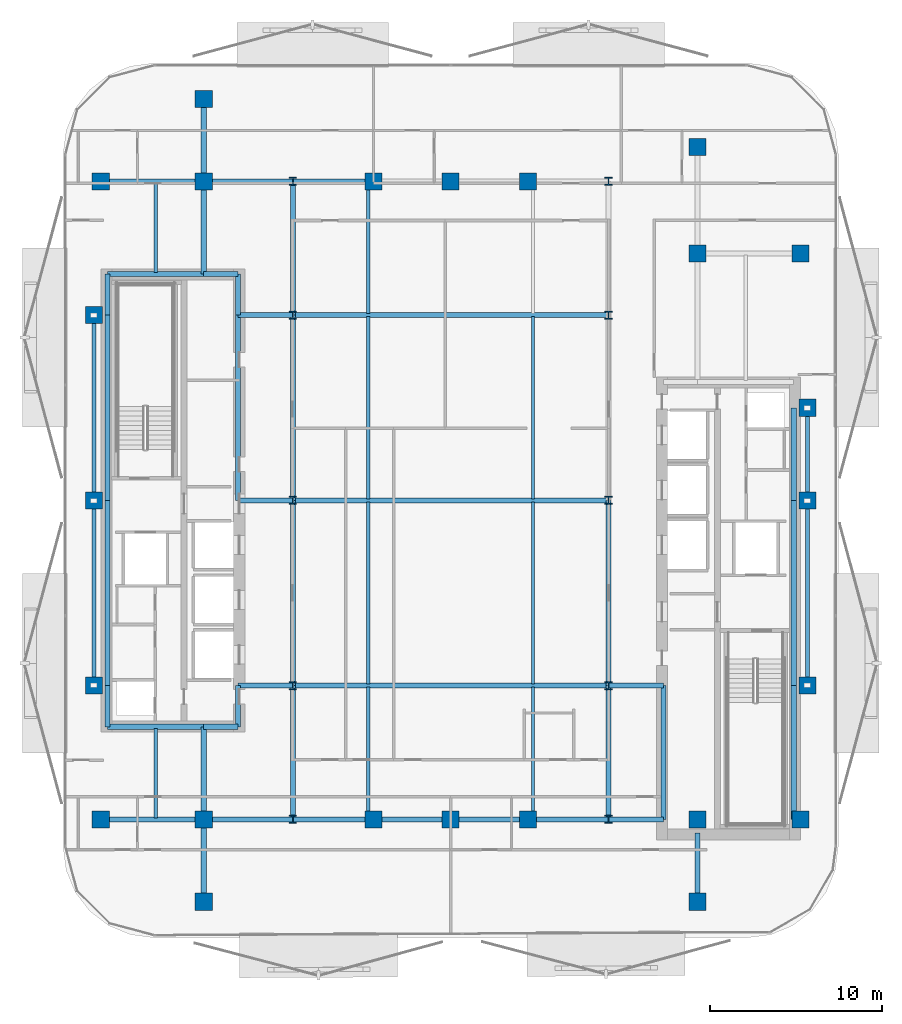
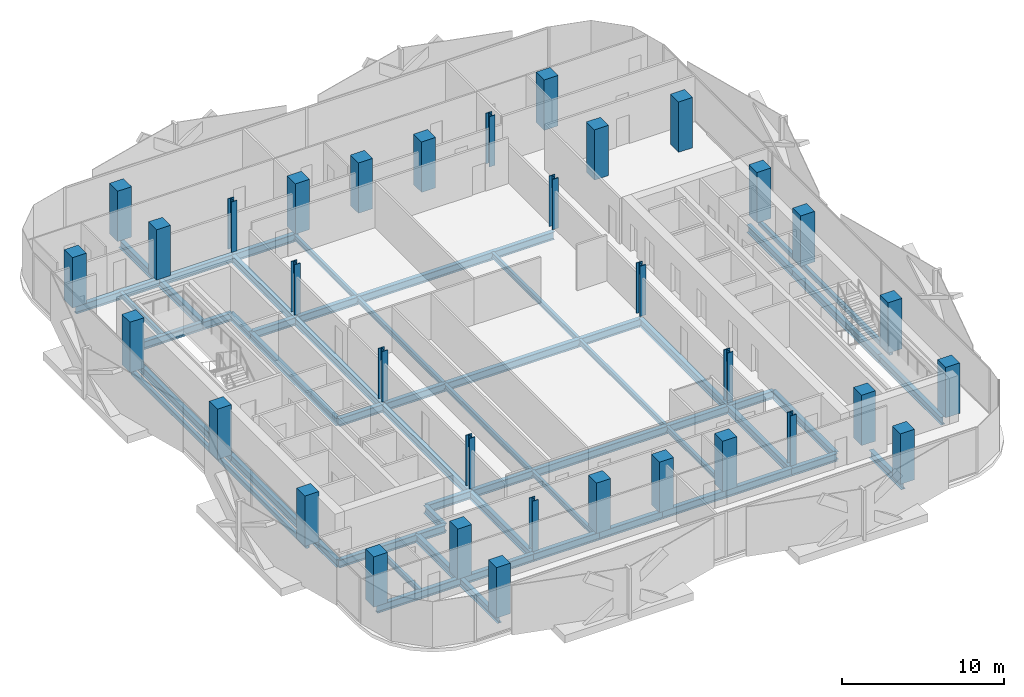
# One storey, part 1 of 17: 56 beams, 34 columns.
"""IFC4 building model written with IfcOpenShell, lengths in metres."""

from ifc_helpers import new_model, si_unit, direction, frame, origin, origin_2d, place, context, subcontext, project, spatial, rectangle, hollow_rectangle, i_section, extrude, material, material_profile, profile_set, type_object, element, save


model = new_model("IFC4")

# Units and contexts
model_context = context("Model", 3, precision=1e-05, world=origin(), true_north=direction((0.0, 1.0)))
body_context = subcontext(model_context, "Body", "Model", "MODEL_VIEW")
ifc_project = project(units=[si_unit("LENGTHUNIT", "METRE"), si_unit("AREAUNIT", "SQUARE_METRE"), si_unit("VOLUMEUNIT", "CUBIC_METRE"), si_unit("PLANEANGLEUNIT", "RADIAN"), si_unit("MASSUNIT", "GRAM", prefix="KILO")], contexts=[model_context])

# Site, building, storey
site_placement = place(None, origin())
site = spatial("IfcSite", under=ifc_project, at=site_placement, CompositionType="ELEMENT")
building_placement = place(site_placement, origin())
building = spatial("IfcBuilding", under=site, at=building_placement, Name="Khairoan Windgate Tower", CompositionType="ELEMENT")
storey_placement = place(building_placement, frame((0.0, 0.0, 210.60009765625)))
storey = spatial("IfcBuildingStorey", under=building, at=storey_placement, Name="L49", CompositionType="ELEMENT", Elevation=210.60009765625)

# Columns
ifc_material_1 = material(Name="Concrete C50/60", Category="concrete")
ifc_material_profile_1 = material_profile(ifc_material_1, rectangle(XDim=1.0, YDim=1.0, at=origin_2d()))
ifc_profile_set_1 = profile_set([ifc_material_profile_1], Name="Concrete C50/60")
column_type_1 = type_object("IfcColumnType", Name="Column C-T4 RC1000x1000", PredefinedType="COLUMN", material=ifc_profile_set_1)
for number, where, z_axis, x_axis, name in (
    (1, (-20.39990234375, -18.60009765625, 0.0), (0.0, 0.0, 1.0), (1.0, 0.0, 0.0), "Column L49-11"),
    (2, (-20.39990234375, 18.60009765625, 0.0), (0.0, 0.0, 1.0), (1.0, 0.0, 0.0), "Column L49-12"),
    (3, (20.39990234375, -18.60009765625, 0.0), (0.0, 0.0, 1.0), (1.0, 0.0, 0.0), "Column L49-13"),
    (4, (20.39990234375, 14.39990234375, 0.0), (0.0, 0.0, 1.0), (1.0, 0.0, 0.0), "Column L49-14"),
    (5, (-14.39990234375, -18.60009765625, 0.0), (0.0, 0.0, 1.0), (1.0, 0.0, 0.0), "Column L49-15"),
    (6, (-14.39990234375, 18.60009765625, 0.0), (0.0, 0.0, 1.0), (1.0, 0.0, 0.0), "Column L49-16"),
    (7, (14.39990234375, -18.60009765625, 0.0), (0.0, 0.0, 1.0), (1.0, 0.0, 0.0), "Column L49-17"),
    (8, (14.39990234375, 14.39990234375, 0.0), (0.0, 0.0, 1.0), (1.0, 0.0, 0.0), "Column L49-18"),
    (9, (-4.5, -18.60009765625, 0.0), (0.0, 0.0, 1.0), (1.0, 0.0, 0.0), "Column L49-19"),
    (10, (0.0, -18.60009765625, 0.0), (0.0, 0.0, 1.0), (1.0, 0.0, 0.0), "Column L49-20"),
    (11, (4.5, -18.60009765625, 0.0), (0.0, 0.0, 1.0), (1.0, 0.0, 0.0), "Column L49-21"),
    (12, (-4.5, 18.60009765625, 0.0), (0.0, 0.0, 1.0), (1.0, 0.0, 0.0), "Column L49-22"),
    (13, (0.0, 18.60009765625, 0.0), (0.0, 0.0, 1.0), (1.0, 0.0, 0.0), "Column L49-23"),
    (14, (4.5, 18.60009765625, 0.0), (0.0, 0.0, 1.0), (1.0, 0.0, 0.0), "Column L49-24"),
    (15, (-20.800048828125, -10.800048828125, 0.0), (0.0, 0.0, 1.0), (1.0, 0.0, 0.0), "Column L49-25"),
    (16, (-20.800048828125, 0.0, 0.0), (0.0, 0.0, 1.0), (1.0, 0.0, 0.0), "Column L49-26"),
    (17, (-20.800048828125, 10.800048828125, 0.0), (0.0, 0.0, 1.0), (1.0, 0.0, 0.0), "Column L49-27"),
    (18, (20.800048828125, -10.800048828125, 0.0), (0.0, 0.0, 1.0), (1.0, 0.0, 0.0), "Column L49-28"),
    (19, (20.800048828125, 0.0, 0.0), (0.0, 0.0, 1.0), (1.0, 0.0, 0.0), "Column L49-29"),
    (20, (20.800048828125, 5.39990234375, 0.0), (0.0, 0.0, 1.0), (1.0, 0.0, 0.0), "Column L49-30"),
    (21, (-14.39990234375, -23.39990234375, 0.0), (0.0, 0.0, 1.0), (1.0, 0.0, 0.0), "Column L49-31"),
    (22, (-14.39990234375, 23.39990234375, 0.0), (0.0, 0.0, 1.0), (1.0, 0.0, 0.0), "Column L49-32"),
    (23, (14.39990234375, -23.39990234375, 0.0), (0.0, 0.0, 1.0), (1.0, 0.0, 0.0), "Column L49-33"),
    (24, (14.39990234375, 20.60009765625, 0.0), (0.0, 0.0, 1.0), (1.0, 0.0, 0.0), "Column L49-34"),
):
    element("IfcColumn", number, at=place(storey_placement, frame(where, z_axis=z_axis, x_axis=x_axis)), inside=storey, type_object=column_type_1, Name=name, PredefinedType="COLUMN", context=body_context, shape_type="SweptSolid", body=[
        extrude(rectangle(XDim=1.0, YDim=1.0, at=origin_2d()), origin(), (0.0, 0.0, 1.0), 3.7998046875),
    ])
ifc_material_2 = material(Name="Steel S355", Category="steel")
ifc_material_profile_2 = material_profile(ifc_material_2, i_section(OverallWidth=0.4169921875, OverallDepth=0.4580078125, WebThickness=0.030029296875, FlangeThickness=0.050048828125, FilletRadius=0.02197265625, at=origin_2d()))
ifc_profile_set_2 = profile_set([ifc_material_profile_2], Name="Steel S355")
column_type_2 = type_object("IfcColumnType", Name="Steel Column SC2 H458x417x30x50", PredefinedType="COLUMN", material=ifc_profile_set_2)
for number, where, z_axis, x_axis, name in (
    (25, (-9.199951171875, -18.60009765625, 0.0), (0.0, 0.0, 1.0), (1.0, 0.0, 0.0), "Column L49-01"),
    (26, (-9.199951171875, -10.800048828125, 0.0), (0.0, 0.0, 1.0), (1.0, 0.0, 0.0), "Column L49-02"),
    (27, (-9.199951171875, 0.0, 0.0), (0.0, 0.0, 1.0), (1.0, 0.0, 0.0), "Column L49-03"),
    (28, (-9.199951171875, 10.800048828125, 0.0), (0.0, 0.0, 1.0), (1.0, 0.0, 0.0), "Column L49-04"),
    (29, (-9.199951171875, 18.60009765625, 0.0), (0.0, 0.0, 1.0), (1.0, 0.0, 0.0), "Column L49-05"),
    (30, (9.199951171875, -18.60009765625, 0.0), (0.0, 0.0, 1.0), (1.0, 0.0, 0.0), "Column L49-06"),
    (31, (9.199951171875, -10.800048828125, 0.0), (0.0, 0.0, 1.0), (1.0, 0.0, 0.0), "Column L49-07"),
    (32, (9.199951171875, 0.0, 0.0), (0.0, 0.0, 1.0), (1.0, 0.0, 0.0), "Column L49-08"),
    (33, (9.199951171875, 10.800048828125, 0.0), (0.0, 0.0, 1.0), (1.0, 0.0, 0.0), "Column L49-09"),
    (34, (9.199951171875, 18.60009765625, 0.0), (0.0, 0.0, 1.0), (1.0, 0.0, 0.0), "Column L49-10"),
):
    element("IfcColumn", number, at=place(storey_placement, frame(where, z_axis=z_axis, x_axis=x_axis)), inside=storey, type_object=column_type_2, Name=name, PredefinedType="COLUMN", context=body_context, shape_type="SweptSolid", body=[
        extrude(i_section(OverallWidth=0.4169921875, OverallDepth=0.4580078125, WebThickness=0.030029296875, FlangeThickness=0.050048828125, FilletRadius=0.02197265625, at=origin_2d()), origin(), (0.0, 0.0, 1.0), 3.7998046875),
    ])

# Beams
ifc_material_3 = material(Name="Steel S355", Category="steel")
ifc_material_profile_3 = material_profile(ifc_material_3, i_section(OverallWidth=0.300048828125, OverallDepth=0.587890625, WebThickness=0.011962890625, FlangeThickness=0.02001953125, FilletRadius=0.02392578125, at=origin_2d()))
ifc_profile_set_3 = profile_set([ifc_material_profile_3], Name="Steel S355")
beam_type_1 = type_object("IfcBeamType", Name="Beam B-G4 H588x300x12x20", PredefinedType="BEAM", material=ifc_profile_set_3)
beam_1_placement = place(storey_placement, frame((-20.39990234375, -18.60009765625, -0.55419921875), z_axis=(1.0, 0.0, 0.0), x_axis=(0.0, 1.0, 0.0)))
element("IfcBeam", 35, at=beam_1_placement, inside=storey, type_object=beam_type_1, Name="L49 E-W Primary Girder 01", PredefinedType="BEAM", context=body_context, shape_type="SweptSolid", body=[
    extrude(i_section(OverallWidth=0.300048828125, OverallDepth=0.587890625, WebThickness=0.011962890625, FlangeThickness=0.02001953125, FilletRadius=0.02392578125, at=origin_2d()), origin(), (0.0, 0.0, 1.0), 6.0),
])
beam_2_placement = place(storey_placement, frame((-14.39990234375, -18.60009765625, -0.55419921875), z_axis=(1.0, 0.0, 0.0), x_axis=(0.0, 1.0, 0.0)))
element("IfcBeam", 36, at=beam_2_placement, inside=storey, type_object=beam_type_1, Name="L49 E-W Primary Girder 02", PredefinedType="BEAM", context=body_context, shape_type="SweptSolid", body=[
    extrude(i_section(OverallWidth=0.300048828125, OverallDepth=0.587890625, WebThickness=0.011962890625, FlangeThickness=0.02001953125, FilletRadius=0.02392578125, at=origin_2d()), origin(), (0.0, 0.0, 1.0), 5.199951171875),
])
beam_3_placement = place(storey_placement, frame((-9.199951171875, -18.60009765625, -0.55419921875), z_axis=(1.0, 0.0, 0.0), x_axis=(0.0, 1.0, 0.0)))
element("IfcBeam", 37, at=beam_3_placement, inside=storey, type_object=beam_type_1, Name="L49 E-W Primary Girder 03", PredefinedType="BEAM", context=body_context, shape_type="SweptSolid", body=[
    extrude(i_section(OverallWidth=0.300048828125, OverallDepth=0.587890625, WebThickness=0.011962890625, FlangeThickness=0.02001953125, FilletRadius=0.02392578125, at=origin_2d()), origin(), (0.0, 0.0, 1.0), 4.699951171875),
])
for number, where, z_axis, x_axis, name in (
    (38, (-4.5, -18.60009765625, -0.55419921875), (1.0, 0.0, 0.0), (0.0, 1.0, 0.0), "L49 E-W Primary Girder 04"),
    (39, (0.0, -18.60009765625, -0.55419921875), (1.0, 0.0, 0.0), (0.0, 1.0, 0.0), "L49 E-W Primary Girder 05"),
):
    element("IfcBeam", number, at=place(storey_placement, frame(where, z_axis=z_axis, x_axis=x_axis)), inside=storey, type_object=beam_type_1, Name=name, PredefinedType="BEAM", context=body_context, shape_type="SweptSolid", body=[
        extrude(i_section(OverallWidth=0.300048828125, OverallDepth=0.587890625, WebThickness=0.011962890625, FlangeThickness=0.02001953125, FilletRadius=0.02392578125, at=origin_2d()), origin(), (0.0, 0.0, 1.0), 4.5),
    ])
beam_4_placement = place(storey_placement, frame((4.5, -18.60009765625, -0.55419921875), z_axis=(1.0, 0.0, 0.0), x_axis=(0.0, 1.0, 0.0)))
element("IfcBeam", 40, at=beam_4_placement, inside=storey, type_object=beam_type_1, Name="L49 E-W Primary Girder 06", PredefinedType="BEAM", context=body_context, shape_type="SweptSolid", body=[
    extrude(i_section(OverallWidth=0.300048828125, OverallDepth=0.587890625, WebThickness=0.011962890625, FlangeThickness=0.02001953125, FilletRadius=0.02392578125, at=origin_2d()), origin(), (0.0, 0.0, 1.0), 4.699951171875),
])
beam_5_placement = place(storey_placement, frame((9.199951171875, -18.60009765625, -0.55419921875), z_axis=(1.0, 0.0, 0.0), x_axis=(0.0, 1.0, 0.0)))
element("IfcBeam", 41, at=beam_5_placement, inside=storey, type_object=beam_type_1, Name="L49 E-W Primary Girder 07", PredefinedType="BEAM", context=body_context, shape_type="SweptSolid", body=[
    extrude(i_section(OverallWidth=0.300048828125, OverallDepth=0.587890625, WebThickness=0.011962890625, FlangeThickness=0.02001953125, FilletRadius=0.02392578125, at=origin_2d()), origin(), (0.0, 0.0, 1.0), 3.199951171875),
])
beam_6_placement = place(storey_placement, frame((-20.0, -13.199951171875, -0.55419921875), z_axis=(1.0, 0.0, 0.0), x_axis=(0.0, 1.0, 0.0)))
element("IfcBeam", 42, at=beam_6_placement, inside=storey, type_object=beam_type_1, Name="L49 E-W Primary Girder 08", PredefinedType="BEAM", context=body_context, shape_type="SweptSolid", body=[
    extrude(i_section(OverallWidth=0.300048828125, OverallDepth=0.587890625, WebThickness=0.011962890625, FlangeThickness=0.02001953125, FilletRadius=0.02392578125, at=origin_2d()), origin(), (0.0, 0.0, 1.0), 5.60009765625),
])
beam_7_placement = place(storey_placement, frame((-14.39990234375, -13.199951171875, -0.55419921875), z_axis=(1.0, 0.0, 0.0), x_axis=(0.0, 1.0, 0.0)))
element("IfcBeam", 43, at=beam_7_placement, inside=storey, type_object=beam_type_1, Name="L49 E-W Primary Girder 09", PredefinedType="BEAM", context=body_context, shape_type="SweptSolid", body=[
    extrude(i_section(OverallWidth=0.300048828125, OverallDepth=0.587890625, WebThickness=0.011962890625, FlangeThickness=0.02001953125, FilletRadius=0.02392578125, at=origin_2d()), origin(), (0.0, 0.0, 1.0), 2.0),
])
beam_8_placement = place(storey_placement, frame((-12.39990234375, -10.800048828125, -0.55419921875), z_axis=(1.0, 0.0, 0.0), x_axis=(0.0, 1.0, 0.0)))
element("IfcBeam", 44, at=beam_8_placement, inside=storey, type_object=beam_type_1, Name="L49 E-W Primary Girder 10", PredefinedType="BEAM", context=body_context, shape_type="SweptSolid", body=[
    extrude(i_section(OverallWidth=0.300048828125, OverallDepth=0.587890625, WebThickness=0.011962890625, FlangeThickness=0.02001953125, FilletRadius=0.02392578125, at=origin_2d()), origin(), (0.0, 0.0, 1.0), 3.199951171875),
])
beam_9_placement = place(storey_placement, frame((-9.199951171875, -10.800048828125, -0.55419921875), z_axis=(1.0, 0.0, 0.0), x_axis=(0.0, 1.0, 0.0)))
element("IfcBeam", 45, at=beam_9_placement, inside=storey, type_object=beam_type_1, Name="L49 E-W Primary Girder 11", PredefinedType="BEAM", context=body_context, shape_type="SweptSolid", body=[
    extrude(i_section(OverallWidth=0.300048828125, OverallDepth=0.587890625, WebThickness=0.011962890625, FlangeThickness=0.02001953125, FilletRadius=0.02392578125, at=origin_2d()), origin(), (0.0, 0.0, 1.0), 18.39990234375),
])
for number, where, z_axis, x_axis, name in (
    (46, (9.199951171875, -10.800048828125, -0.55419921875), (1.0, 0.0, 0.0), (0.0, 1.0, 0.0), "L49 E-W Primary Girder 12"),
    (47, (-12.39990234375, 0.0, -0.55419921875), (1.0, 0.0, 0.0), (0.0, 1.0, 0.0), "L49 E-W Primary Girder 13"),
):
    element("IfcBeam", number, at=place(storey_placement, frame(where, z_axis=z_axis, x_axis=x_axis)), inside=storey, type_object=beam_type_1, Name=name, PredefinedType="BEAM", context=body_context, shape_type="SweptSolid", body=[
        extrude(i_section(OverallWidth=0.300048828125, OverallDepth=0.587890625, WebThickness=0.011962890625, FlangeThickness=0.02001953125, FilletRadius=0.02392578125, at=origin_2d()), origin(), (0.0, 0.0, 1.0), 3.199951171875),
    ])
beam_10_placement = place(storey_placement, frame((-9.199951171875, 0.0, -0.55419921875), z_axis=(1.0, 0.0, 0.0), x_axis=(0.0, 1.0, 0.0)))
element("IfcBeam", 48, at=beam_10_placement, inside=storey, type_object=beam_type_1, Name="L49 E-W Primary Girder 14", PredefinedType="BEAM", context=body_context, shape_type="SweptSolid", body=[
    extrude(i_section(OverallWidth=0.300048828125, OverallDepth=0.587890625, WebThickness=0.011962890625, FlangeThickness=0.02001953125, FilletRadius=0.02392578125, at=origin_2d()), origin(), (0.0, 0.0, 1.0), 18.39990234375),
])
beam_11_placement = place(storey_placement, frame((-12.39990234375, 10.800048828125, -0.55419921875), z_axis=(1.0, 0.0, 0.0), x_axis=(0.0, 1.0, 0.0)))
element("IfcBeam", 49, at=beam_11_placement, inside=storey, type_object=beam_type_1, Name="L49 E-W Primary Girder 17", PredefinedType="BEAM", context=body_context, shape_type="SweptSolid", body=[
    extrude(i_section(OverallWidth=0.300048828125, OverallDepth=0.587890625, WebThickness=0.011962890625, FlangeThickness=0.02001953125, FilletRadius=0.02392578125, at=origin_2d()), origin(), (0.0, 0.0, 1.0), 3.199951171875),
])
beam_12_placement = place(storey_placement, frame((-9.199951171875, 10.800048828125, -0.55419921875), z_axis=(1.0, 0.0, 0.0), x_axis=(0.0, 1.0, 0.0)))
element("IfcBeam", 50, at=beam_12_placement, inside=storey, type_object=beam_type_1, Name="L49 E-W Primary Girder 18", PredefinedType="BEAM", context=body_context, shape_type="SweptSolid", body=[
    extrude(i_section(OverallWidth=0.300048828125, OverallDepth=0.587890625, WebThickness=0.011962890625, FlangeThickness=0.02001953125, FilletRadius=0.02392578125, at=origin_2d()), origin(), (0.0, 0.0, 1.0), 18.39990234375),
])
beam_13_placement = place(storey_placement, frame((-20.0, 13.199951171875, -0.55419921875), z_axis=(1.0, 0.0, 0.0), x_axis=(0.0, 1.0, 0.0)))
element("IfcBeam", 51, at=beam_13_placement, inside=storey, type_object=beam_type_1, Name="L49 E-W Primary Girder 19", PredefinedType="BEAM", context=body_context, shape_type="SweptSolid", body=[
    extrude(i_section(OverallWidth=0.300048828125, OverallDepth=0.587890625, WebThickness=0.011962890625, FlangeThickness=0.02001953125, FilletRadius=0.02392578125, at=origin_2d()), origin(), (0.0, 0.0, 1.0), 5.60009765625),
])
beam_14_placement = place(storey_placement, frame((-14.39990234375, 13.199951171875, -0.55419921875), z_axis=(1.0, 0.0, 0.0), x_axis=(0.0, 1.0, 0.0)))
element("IfcBeam", 52, at=beam_14_placement, inside=storey, type_object=beam_type_1, Name="L49 E-W Primary Girder 20", PredefinedType="BEAM", context=body_context, shape_type="SweptSolid", body=[
    extrude(i_section(OverallWidth=0.300048828125, OverallDepth=0.587890625, WebThickness=0.011962890625, FlangeThickness=0.02001953125, FilletRadius=0.02392578125, at=origin_2d()), origin(), (0.0, 0.0, 1.0), 2.0),
])
beam_15_placement = place(storey_placement, frame((-20.39990234375, 18.60009765625, -0.55419921875), z_axis=(1.0, 0.0, 0.0), x_axis=(0.0, 1.0, 0.0)))
element("IfcBeam", 53, at=beam_15_placement, inside=storey, type_object=beam_type_1, Name="L49 E-W Primary Girder 22", PredefinedType="BEAM", context=body_context, shape_type="SweptSolid", body=[
    extrude(i_section(OverallWidth=0.300048828125, OverallDepth=0.587890625, WebThickness=0.011962890625, FlangeThickness=0.02001953125, FilletRadius=0.02392578125, at=origin_2d()), origin(), (0.0, 0.0, 1.0), 6.0),
])
beam_16_placement = place(storey_placement, frame((-14.39990234375, 18.60009765625, -0.55419921875), z_axis=(1.0, 0.0, 0.0), x_axis=(0.0, 1.0, 0.0)))
element("IfcBeam", 54, at=beam_16_placement, inside=storey, type_object=beam_type_1, Name="L49 E-W Primary Girder 23", PredefinedType="BEAM", context=body_context, shape_type="SweptSolid", body=[
    extrude(i_section(OverallWidth=0.300048828125, OverallDepth=0.587890625, WebThickness=0.011962890625, FlangeThickness=0.02001953125, FilletRadius=0.02392578125, at=origin_2d()), origin(), (0.0, 0.0, 1.0), 5.199951171875),
])
beam_17_placement = place(storey_placement, frame((-9.199951171875, 18.60009765625, -0.55419921875), z_axis=(1.0, 0.0, 0.0), x_axis=(0.0, 1.0, 0.0)))
element("IfcBeam", 55, at=beam_17_placement, inside=storey, type_object=beam_type_1, Name="L49 E-W Primary Girder 24", PredefinedType="BEAM", context=body_context, shape_type="SweptSolid", body=[
    extrude(i_section(OverallWidth=0.300048828125, OverallDepth=0.587890625, WebThickness=0.011962890625, FlangeThickness=0.02001953125, FilletRadius=0.02392578125, at=origin_2d()), origin(), (0.0, 0.0, 1.0), 4.699951171875),
])
beam_18_placement = place(storey_placement, frame((-20.0, -13.199951171875, -0.55419921875), z_axis=(0.0, 1.0, 0.0), x_axis=(-1.0, 0.0, 0.0)))
element("IfcBeam", 56, at=beam_18_placement, inside=storey, type_object=beam_type_1, Name="L49 N-S Primary Beam 30", PredefinedType="BEAM", context=body_context, shape_type="SweptSolid", body=[
    extrude(i_section(OverallWidth=0.300048828125, OverallDepth=0.587890625, WebThickness=0.011962890625, FlangeThickness=0.02001953125, FilletRadius=0.02392578125, at=origin_2d()), origin(), (0.0, 0.0, 1.0), 2.39990234375),
])
for number, where, z_axis, x_axis, name in (
    (57, (-20.0, -10.800048828125, -0.55419921875), (0.0, 1.0, 0.0), (-1.0, 0.0, 0.0), "L49 N-S Primary Beam 31"),
    (58, (-20.0, 0.0, -0.55419921875), (0.0, 1.0, 0.0), (-1.0, 0.0, 0.0), "L49 N-S Primary Beam 32"),
):
    element("IfcBeam", number, at=place(storey_placement, frame(where, z_axis=z_axis, x_axis=x_axis)), inside=storey, type_object=beam_type_1, Name=name, PredefinedType="BEAM", context=body_context, shape_type="SweptSolid", body=[
        extrude(i_section(OverallWidth=0.300048828125, OverallDepth=0.587890625, WebThickness=0.011962890625, FlangeThickness=0.02001953125, FilletRadius=0.02392578125, at=origin_2d()), origin(), (0.0, 0.0, 1.0), 10.800048828125),
    ])
beam_19_placement = place(storey_placement, frame((-20.0, 10.800048828125, -0.55419921875), z_axis=(0.0, 1.0, 0.0), x_axis=(-1.0, 0.0, 0.0)))
element("IfcBeam", 59, at=beam_19_placement, inside=storey, type_object=beam_type_1, Name="L49 N-S Primary Beam 33", PredefinedType="BEAM", context=body_context, shape_type="SweptSolid", body=[
    extrude(i_section(OverallWidth=0.300048828125, OverallDepth=0.587890625, WebThickness=0.011962890625, FlangeThickness=0.02001953125, FilletRadius=0.02392578125, at=origin_2d()), origin(), (0.0, 0.0, 1.0), 2.39990234375),
])
beam_20_placement = place(storey_placement, frame((-14.39990234375, -23.39990234375, -0.55419921875), z_axis=(0.0, 1.0, 0.0), x_axis=(-1.0, 0.0, 0.0)))
element("IfcBeam", 60, at=beam_20_placement, inside=storey, type_object=beam_type_1, Name="L49 N-S Primary Beam 34", PredefinedType="BEAM", context=body_context, shape_type="SweptSolid", body=[
    extrude(i_section(OverallWidth=0.300048828125, OverallDepth=0.587890625, WebThickness=0.011962890625, FlangeThickness=0.02001953125, FilletRadius=0.02392578125, at=origin_2d()), origin(), (0.0, 0.0, 1.0), 4.7998046875),
])
for number, where, z_axis, x_axis, name in (
    (61, (-14.39990234375, -18.60009765625, -0.55419921875), (0.0, 1.0, 0.0), (-1.0, 0.0, 0.0), "L49 N-S Primary Beam 35"),
    (62, (-14.39990234375, 13.199951171875, -0.55419921875), (0.0, 1.0, 0.0), (-1.0, 0.0, 0.0), "L49 N-S Primary Beam 36"),
):
    element("IfcBeam", number, at=place(storey_placement, frame(where, z_axis=z_axis, x_axis=x_axis)), inside=storey, type_object=beam_type_1, Name=name, PredefinedType="BEAM", context=body_context, shape_type="SweptSolid", body=[
        extrude(i_section(OverallWidth=0.300048828125, OverallDepth=0.587890625, WebThickness=0.011962890625, FlangeThickness=0.02001953125, FilletRadius=0.02392578125, at=origin_2d()), origin(), (0.0, 0.0, 1.0), 5.400146484375),
    ])
beam_21_placement = place(storey_placement, frame((-14.39990234375, 18.60009765625, -0.55419921875), z_axis=(0.0, 1.0, 0.0), x_axis=(-1.0, 0.0, 0.0)))
element("IfcBeam", 63, at=beam_21_placement, inside=storey, type_object=beam_type_1, Name="L49 N-S Primary Beam 37", PredefinedType="BEAM", context=body_context, shape_type="SweptSolid", body=[
    extrude(i_section(OverallWidth=0.300048828125, OverallDepth=0.587890625, WebThickness=0.011962890625, FlangeThickness=0.02001953125, FilletRadius=0.02392578125, at=origin_2d()), origin(), (0.0, 0.0, 1.0), 4.7998046875),
])
beam_22_placement = place(storey_placement, frame((-12.39990234375, -13.199951171875, -0.55419921875), z_axis=(0.0, 1.0, 0.0), x_axis=(-1.0, 0.0, 0.0)))
element("IfcBeam", 64, at=beam_22_placement, inside=storey, type_object=beam_type_1, Name="L49 N-S Primary Beam 38", PredefinedType="BEAM", context=body_context, shape_type="SweptSolid", body=[
    extrude(i_section(OverallWidth=0.300048828125, OverallDepth=0.587890625, WebThickness=0.011962890625, FlangeThickness=0.02001953125, FilletRadius=0.02392578125, at=origin_2d()), origin(), (0.0, 0.0, 1.0), 2.39990234375),
])
beam_23_placement = place(storey_placement, frame((-12.39990234375, 0.0, -0.55419921875), z_axis=(0.0, 1.0, 0.0), x_axis=(-1.0, 0.0, 0.0)))
element("IfcBeam", 65, at=beam_23_placement, inside=storey, type_object=beam_type_1, Name="L49 N-S Primary Beam 39", PredefinedType="BEAM", context=body_context, shape_type="SweptSolid", body=[
    extrude(i_section(OverallWidth=0.300048828125, OverallDepth=0.587890625, WebThickness=0.011962890625, FlangeThickness=0.02001953125, FilletRadius=0.02392578125, at=origin_2d()), origin(), (0.0, 0.0, 1.0), 10.800048828125),
])
beam_24_placement = place(storey_placement, frame((-12.39990234375, 10.800048828125, -0.55419921875), z_axis=(0.0, 1.0, 0.0), x_axis=(-1.0, 0.0, 0.0)))
element("IfcBeam", 66, at=beam_24_placement, inside=storey, type_object=beam_type_1, Name="L49 N-S Primary Beam 40", PredefinedType="BEAM", context=body_context, shape_type="SweptSolid", body=[
    extrude(i_section(OverallWidth=0.300048828125, OverallDepth=0.587890625, WebThickness=0.011962890625, FlangeThickness=0.02001953125, FilletRadius=0.02392578125, at=origin_2d()), origin(), (0.0, 0.0, 1.0), 2.39990234375),
])
beam_25_placement = place(storey_placement, frame((-9.199951171875, -18.60009765625, -0.55419921875), z_axis=(0.0, 1.0, 0.0), x_axis=(-1.0, 0.0, 0.0)))
element("IfcBeam", 67, at=beam_25_placement, inside=storey, type_object=beam_type_1, Name="L49 N-S Primary Beam 41", PredefinedType="BEAM", context=body_context, shape_type="SweptSolid", body=[
    extrude(i_section(OverallWidth=0.300048828125, OverallDepth=0.587890625, WebThickness=0.011962890625, FlangeThickness=0.02001953125, FilletRadius=0.02392578125, at=origin_2d()), origin(), (0.0, 0.0, 1.0), 7.800048828125),
])
for number, where, z_axis, x_axis, name in (
    (68, (-9.199951171875, -10.800048828125, -0.55419921875), (0.0, 1.0, 0.0), (-1.0, 0.0, 0.0), "L49 N-S Primary Beam 42"),
    (69, (-9.199951171875, 0.0, -0.55419921875), (0.0, 1.0, 0.0), (-1.0, 0.0, 0.0), "L49 N-S Primary Beam 43"),
):
    element("IfcBeam", number, at=place(storey_placement, frame(where, z_axis=z_axis, x_axis=x_axis)), inside=storey, type_object=beam_type_1, Name=name, PredefinedType="BEAM", context=body_context, shape_type="SweptSolid", body=[
        extrude(i_section(OverallWidth=0.300048828125, OverallDepth=0.587890625, WebThickness=0.011962890625, FlangeThickness=0.02001953125, FilletRadius=0.02392578125, at=origin_2d()), origin(), (0.0, 0.0, 1.0), 10.800048828125),
    ])
for number, where, z_axis, x_axis, name in (
    (70, (-9.199951171875, 10.800048828125, -0.55419921875), (0.0, 1.0, 0.0), (-1.0, 0.0, 0.0), "L49 N-S Primary Beam 44"),
    (71, (9.199951171875, -18.60009765625, -0.55419921875), (0.0, 1.0, 0.0), (-1.0, 0.0, 0.0), "L49 N-S Primary Beam 45"),
):
    element("IfcBeam", number, at=place(storey_placement, frame(where, z_axis=z_axis, x_axis=x_axis)), inside=storey, type_object=beam_type_1, Name=name, PredefinedType="BEAM", context=body_context, shape_type="SweptSolid", body=[
        extrude(i_section(OverallWidth=0.300048828125, OverallDepth=0.587890625, WebThickness=0.011962890625, FlangeThickness=0.02001953125, FilletRadius=0.02392578125, at=origin_2d()), origin(), (0.0, 0.0, 1.0), 7.800048828125),
    ])
beam_26_placement = place(storey_placement, frame((9.199951171875, -10.800048828125, -0.55419921875), z_axis=(0.0, 1.0, 0.0), x_axis=(-1.0, 0.0, 0.0)))
element("IfcBeam", 72, at=beam_26_placement, inside=storey, type_object=beam_type_1, Name="L49 N-S Primary Beam 46", PredefinedType="BEAM", context=body_context, shape_type="SweptSolid", body=[
    extrude(i_section(OverallWidth=0.300048828125, OverallDepth=0.587890625, WebThickness=0.011962890625, FlangeThickness=0.02001953125, FilletRadius=0.02392578125, at=origin_2d()), origin(), (0.0, 0.0, 1.0), 10.800048828125),
])
beam_27_placement = place(storey_placement, frame((12.39990234375, -18.60009765625, -0.55419921875), z_axis=(0.0, 1.0, 0.0), x_axis=(-1.0, 0.0, 0.0)))
element("IfcBeam", 73, at=beam_27_placement, inside=storey, type_object=beam_type_1, Name="L49 N-S Primary Beam 49", PredefinedType="BEAM", context=body_context, shape_type="SweptSolid", body=[
    extrude(i_section(OverallWidth=0.300048828125, OverallDepth=0.587890625, WebThickness=0.011962890625, FlangeThickness=0.02001953125, FilletRadius=0.02392578125, at=origin_2d()), origin(), (0.0, 0.0, 1.0), 7.800048828125),
])
beam_28_placement = place(storey_placement, frame((14.39990234375, -23.39990234375, -0.55419921875), z_axis=(0.0, 1.0, 0.0), x_axis=(-1.0, 0.0, 0.0)))
element("IfcBeam", 74, at=beam_28_placement, inside=storey, type_object=beam_type_1, Name="L49 N-S Primary Beam 50", PredefinedType="BEAM", context=body_context, shape_type="SweptSolid", body=[
    extrude(i_section(OverallWidth=0.300048828125, OverallDepth=0.587890625, WebThickness=0.011962890625, FlangeThickness=0.02001953125, FilletRadius=0.02392578125, at=origin_2d()), origin(), (0.0, 0.0, 1.0), 4.0),
])
beam_29_placement = place(storey_placement, frame((20.0, -18.60009765625, -0.55419921875), z_axis=(0.0, 1.0, 0.0), x_axis=(-1.0, 0.0, 0.0)))
element("IfcBeam", 75, at=beam_29_placement, inside=storey, type_object=beam_type_1, Name="L49 N-S Primary Beam 53", PredefinedType="BEAM", context=body_context, shape_type="SweptSolid", body=[
    extrude(i_section(OverallWidth=0.300048828125, OverallDepth=0.587890625, WebThickness=0.011962890625, FlangeThickness=0.02001953125, FilletRadius=0.02392578125, at=origin_2d()), origin(), (0.0, 0.0, 1.0), 7.800048828125),
])
beam_30_placement = place(storey_placement, frame((20.0, -10.800048828125, -0.55419921875), z_axis=(0.0, 1.0, 0.0), x_axis=(-1.0, 0.0, 0.0)))
element("IfcBeam", 76, at=beam_30_placement, inside=storey, type_object=beam_type_1, Name="L49 N-S Primary Beam 54", PredefinedType="BEAM", context=body_context, shape_type="SweptSolid", body=[
    extrude(i_section(OverallWidth=0.300048828125, OverallDepth=0.587890625, WebThickness=0.011962890625, FlangeThickness=0.02001953125, FilletRadius=0.02392578125, at=origin_2d()), origin(), (0.0, 0.0, 1.0), 10.800048828125),
])
beam_31_placement = place(storey_placement, frame((20.0, 0.0, -0.55419921875), z_axis=(0.0, 1.0, 0.0), x_axis=(-1.0, 0.0, 0.0)))
element("IfcBeam", 77, at=beam_31_placement, inside=storey, type_object=beam_type_1, Name="L49 N-S Primary Beam 55", PredefinedType="BEAM", context=body_context, shape_type="SweptSolid", body=[
    extrude(i_section(OverallWidth=0.300048828125, OverallDepth=0.587890625, WebThickness=0.011962890625, FlangeThickness=0.02001953125, FilletRadius=0.02392578125, at=origin_2d()), origin(), (0.0, 0.0, 1.0), 5.39990234375),
])
ifc_material_4 = material(Name="Steel S355", Category="steel")
ifc_material_profile_4 = material_profile(ifc_material_4, i_section(OverallWidth=0.199951171875, OverallDepth=0.39990234375, WebThickness=0.008056640625, FlangeThickness=0.012939453125, FilletRadius=0.01611328125, at=origin_2d()))
ifc_profile_set_4 = profile_set([ifc_material_profile_4], Name="Steel S355")
beam_type_2 = type_object("IfcBeamType", Name="Beam J-S4 H400x200x8x13", PredefinedType="JOIST", material=ifc_profile_set_4)
for number, where, z_axis, x_axis, name in (
    (78, (-17.199951171875, -18.510009765625, -0.460205078125), (0.0, 1.0, 0.0), (-1.0, 0.0, 0.0), "L49 Secondary Floor Joist 01"),
    (79, (-17.199951171875, 13.2900390625, -0.460205078125), (0.0, 1.0, 0.0), (-1.0, 0.0, 0.0), "L49 Secondary Floor Joist 02"),
):
    element("IfcBeam", number, at=place(storey_placement, frame(where, z_axis=z_axis, x_axis=x_axis)), inside=storey, type_object=beam_type_2, Name=name, PredefinedType="JOIST", context=body_context, shape_type="SweptSolid", body=[
        extrude(i_section(OverallWidth=0.199951171875, OverallDepth=0.39990234375, WebThickness=0.008056640625, FlangeThickness=0.012939453125, FilletRadius=0.01611328125, at=origin_2d()), origin(), (0.0, 0.0, 1.0), 5.219970703125),
    ])
beam_32_placement = place(storey_placement, frame((-4.800048828125, -18.510009765625, -0.460205078125), z_axis=(0.0, 1.0, 0.0), x_axis=(-1.0, 0.0, 0.0)))
element("IfcBeam", 80, at=beam_32_placement, inside=storey, type_object=beam_type_2, Name="L49 Secondary Floor Joist 03", PredefinedType="JOIST", context=body_context, shape_type="SweptSolid", body=[
    extrude(i_section(OverallWidth=0.199951171875, OverallDepth=0.39990234375, WebThickness=0.008056640625, FlangeThickness=0.012939453125, FilletRadius=0.01611328125, at=origin_2d()), origin(), (0.0, 0.0, 1.0), 7.6201171875),
])
for number, where, z_axis, x_axis, name in (
    (81, (-4.800048828125, -10.7099609375, -0.460205078125), (0.0, 1.0, 0.0), (-1.0, 0.0, 0.0), "L49 Secondary Floor Joist 04"),
    (82, (-4.800048828125, 0.090087890625, -0.460205078125), (0.0, 1.0, 0.0), (-1.0, 0.0, 0.0), "L49 Secondary Floor Joist 05"),
):
    element("IfcBeam", number, at=place(storey_placement, frame(where, z_axis=z_axis, x_axis=x_axis)), inside=storey, type_object=beam_type_2, Name=name, PredefinedType="JOIST", context=body_context, shape_type="SweptSolid", body=[
        extrude(i_section(OverallWidth=0.199951171875, OverallDepth=0.39990234375, WebThickness=0.008056640625, FlangeThickness=0.012939453125, FilletRadius=0.01611328125, at=origin_2d()), origin(), (0.0, 0.0, 1.0), 10.619873046875),
    ])
for number, where, z_axis, x_axis, name in (
    (83, (-4.800048828125, 10.889892578125, -0.460205078125), (0.0, 1.0, 0.0), (-1.0, 0.0, 0.0), "L49 Secondary Floor Joist 06"),
    (84, (4.800048828125, -18.510009765625, -0.460205078125), (0.0, 1.0, 0.0), (-1.0, 0.0, 0.0), "L49 Secondary Floor Joist 07"),
):
    element("IfcBeam", number, at=place(storey_placement, frame(where, z_axis=z_axis, x_axis=x_axis)), inside=storey, type_object=beam_type_2, Name=name, PredefinedType="JOIST", context=body_context, shape_type="SweptSolid", body=[
        extrude(i_section(OverallWidth=0.199951171875, OverallDepth=0.39990234375, WebThickness=0.008056640625, FlangeThickness=0.012939453125, FilletRadius=0.01611328125, at=origin_2d()), origin(), (0.0, 0.0, 1.0), 7.6201171875),
    ])
for number, where, z_axis, x_axis, name in (
    (85, (4.800048828125, -10.7099609375, -0.460205078125), (0.0, 1.0, 0.0), (-1.0, 0.0, 0.0), "L49 Secondary Floor Joist 08"),
    (86, (4.800048828125, 0.090087890625, -0.460205078125), (0.0, 1.0, 0.0), (-1.0, 0.0, 0.0), "L49 Secondary Floor Joist 09"),
):
    element("IfcBeam", number, at=place(storey_placement, frame(where, z_axis=z_axis, x_axis=x_axis)), inside=storey, type_object=beam_type_2, Name=name, PredefinedType="JOIST", context=body_context, shape_type="SweptSolid", body=[
        extrude(i_section(OverallWidth=0.199951171875, OverallDepth=0.39990234375, WebThickness=0.008056640625, FlangeThickness=0.012939453125, FilletRadius=0.01611328125, at=origin_2d()), origin(), (0.0, 0.0, 1.0), 10.619873046875),
    ])
ifc_material_5 = material(Name="Steel S355", Category="steel")
ifc_material_profile_5 = material_profile(ifc_material_5, hollow_rectangle(XDim=0.25, YDim=0.35009765625, WallThickness=0.012451171875, InnerFilletRadius=0.012451171875, OuterFilletRadius=0.02490234375, at=origin_2d()))
ifc_profile_set_5 = profile_set([ifc_material_profile_5], Name="Steel S355")
beam_type_3 = type_object("IfcBeamType", Name="Beam SP-B2 RHS350x250x12.5", PredefinedType="SPANDREL", material=ifc_profile_set_5)
for number, where, z_axis, x_axis, name in (
    (87, (-20.800048828125, -10.800048828125, -0.43505859375), (0.0, 1.0, 0.0), (-1.0, 0.0, 0.0), "L49 Spandrel Beam 28"),
    (88, (-20.800048828125, 0.0, -0.43505859375), (0.0, 1.0, 0.0), (-1.0, 0.0, 0.0), "L49 Spandrel Beam 29"),
    (89, (20.800048828125, -10.800048828125, -0.43505859375), (0.0, 1.0, 0.0), (-1.0, 0.0, 0.0), "L49 Spandrel Beam 56"),
):
    element("IfcBeam", number, at=place(storey_placement, frame(where, z_axis=z_axis, x_axis=x_axis)), inside=storey, type_object=beam_type_3, Name=name, PredefinedType="SPANDREL", context=body_context, shape_type="SweptSolid", body=[
        extrude(hollow_rectangle(XDim=0.25, YDim=0.35009765625, WallThickness=0.012451171875, InnerFilletRadius=0.012451171875, OuterFilletRadius=0.02490234375, at=origin_2d()), origin(), (0.0, 0.0, 1.0), 10.800048828125),
    ])
beam_33_placement = place(storey_placement, frame((20.800048828125, 0.0, -0.43505859375), z_axis=(0.0, 1.0, 0.0), x_axis=(-1.0, 0.0, 0.0)))
element("IfcBeam", 90, at=beam_33_placement, inside=storey, type_object=beam_type_3, Name="L49 Spandrel Beam 57", PredefinedType="SPANDREL", context=body_context, shape_type="SweptSolid", body=[
    extrude(hollow_rectangle(XDim=0.25, YDim=0.35009765625, WallThickness=0.012451171875, InnerFilletRadius=0.012451171875, OuterFilletRadius=0.02490234375, at=origin_2d()), origin(), (0.0, 0.0, 1.0), 5.39990234375),
])

save(model, "model.ifc")
